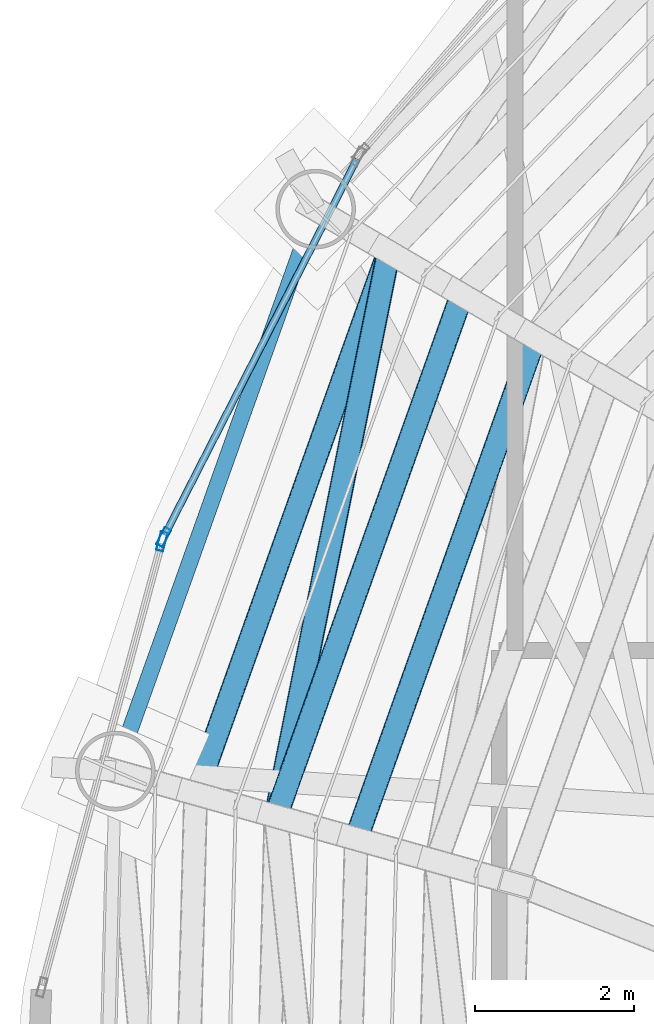
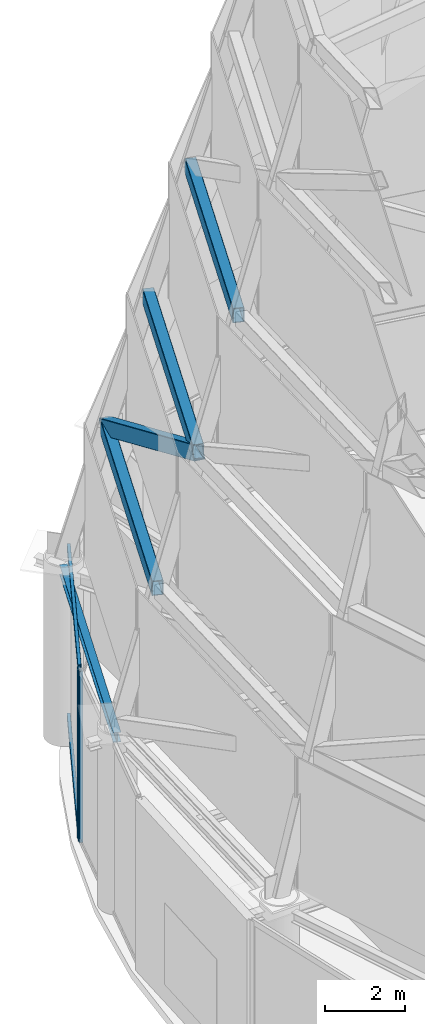
# One storey, part 24 of 40: 8 members, 1 beam, 2 elements without a shape of their own.
"""IFC4 building model written with IfcOpenShell, lengths in metres."""

import ifcopenshell
import ifcopenshell.guid

model = None  # the IFC model being written
_history = None  # IfcOwnerHistory: only IFC2X3 demands one
_inside = {}  # id of a spatial element -> (the spatial element, [elements in it])
_under = {}  # id of a project, library or spatial element -> (it, [spatial elements below it])
_declared = {}  # id of a project -> (the project, [libraries it declares])
_typed = {}  # id of a type object -> (the type object, [elements of that type])
_made_of = {}  # id of a material, layer set ... -> (it, [elements and type objects made of it])


def new_model(schema):
    """Start an empty IFC model of exactly this schema.

    Asked for "IFC4X3", IfcOpenShell would pick the latest addendum, in which some entities
    have other attributes; the version numbers below select the first issue.
    IFC2X3 requires an IfcOwnerHistory on every rooted entity: one is made here for all.
    """
    global model, _history
    if schema == "IFC4X3":
        model = ifcopenshell.file(schema_version=(4, 3, 0, 0))
    else:
        model = ifcopenshell.file(schema=schema)
    _inside.clear()
    _under.clear()
    _declared.clear()
    _typed.clear()
    _made_of.clear()
    _history = None
    if model.schema == "IFC2X3":
        org = make("IfcOrganization", Name="unknown")
        user = make(
            "IfcPersonAndOrganization",
            ThePerson=make("IfcPerson", FamilyName="unknown"),
            TheOrganization=org,
        )
        app = make(
            "IfcApplication",
            ApplicationDeveloper=org,
            Version="unknown",
            ApplicationFullName="unknown",
            ApplicationIdentifier="unknown",
        )
        _history = make(
            "IfcOwnerHistory",
            OwningUser=user,
            OwningApplication=app,
            ChangeAction="ADDED",
            CreationDate=0,
        )
    return model


def make(cls, **values):
    """One entity of the class cls with the attributes given. An attribute that is None is left unset."""
    return model.create_entity(
        cls, **{name: value for name, value in values.items() if value is not None}
    )


def rooted(cls, **values):
    """An entity with a GlobalId (a new one), such as an element, a storey or a relation."""
    return make(cls, GlobalId=ifcopenshell.guid.new(), OwnerHistory=_history, **values)


def si_unit(unit_type, name, prefix=None):
    """IfcSIUnit, for example si_unit("LENGTHUNIT", "METRE", prefix="MILLI")."""
    return make("IfcSIUnit", UnitType=unit_type, Prefix=prefix, Name=name)


def assignment(units):
    """IfcUnitAssignment: the units of a project."""
    return None if units is None else make("IfcUnitAssignment", Units=units)


def point(xyz):
    """IfcCartesianPoint."""
    return None if xyz is None else make("IfcCartesianPoint", Coordinates=xyz)


def direction(xyz):
    """IfcDirection."""
    return None if xyz is None else make("IfcDirection", DirectionRatios=xyz)


def frame(location, z_axis=None, x_axis=None):
    """IfcAxis2Placement3D, a coordinate frame: its origin and axes. An axis left out is left unset."""
    return make(
        "IfcAxis2Placement3D",
        Location=point(location),
        Axis=direction(z_axis),
        RefDirection=direction(x_axis),
    )


def frame_2d(location, x_axis=None):
    """IfcAxis2Placement2D, a coordinate frame in the plane: its origin and x axis."""
    return make(
        "IfcAxis2Placement2D", Location=point(location), RefDirection=direction(x_axis)
    )


def origin():
    """The frame at (0, 0, 0) with its axes left unset."""
    return frame((0.0, 0.0, 0.0))


def origin_2d():
    """The frame at (0, 0) in the plane with its x axis left unset."""
    return frame_2d((0.0, 0.0))


def place(relative_to, where):
    """IfcLocalPlacement: puts the frame where relative to a parent placement (None: the world)."""
    return make(
        "IfcLocalPlacement", PlacementRelTo=relative_to, RelativePlacement=where
    )


def context(
    kind, dimensions, precision=None, world=None, true_north=None, identifier=None
):
    """IfcGeometricRepresentationContext, for example the 3D "Model" context."""
    return make(
        "IfcGeometricRepresentationContext",
        ContextIdentifier=identifier,
        ContextType=kind,
        CoordinateSpaceDimension=dimensions,
        Precision=precision,
        WorldCoordinateSystem=world,
        TrueNorth=true_north,
    )


def subcontext(parent, identifier, kind, view, scale=None):
    """IfcGeometricRepresentationSubContext, for example "Body" below "Model"."""
    return make(
        "IfcGeometricRepresentationSubContext",
        ContextIdentifier=identifier,
        ContextType=kind,
        ParentContext=parent,
        TargetScale=scale,
        TargetView=view,
    )


def project(units=None, contexts=None):
    """IfcProject with its units and contexts."""
    return rooted(
        "IfcProject",
        Name="project",
        RepresentationContexts=contexts,
        UnitsInContext=assignment(units),
    )


def spatial(cls, under=None, at=None, **own):
    """A site, building, storey or space (cls), placed at a placement, below another one or the project."""
    s = rooted(cls, ObjectPlacement=at, **own)
    if under is not None:
        _under.setdefault(under.id(), (under, []))[1].append(s)
    return s


def profile(cls, at=None, kind="AREA", **sizes):
    """A parametric profile (cls). Its sizes go by their IFC names, for example OverallWidth=200.0."""
    return make(cls, ProfileType=kind, Position=at, **sizes)


def hollow_rectangle(**sizes):
    """IfcRectangleHollowProfileDef."""
    return profile("IfcRectangleHollowProfileDef", **sizes)


def i_section(**sizes):
    """IfcIShapeProfileDef."""
    return profile("IfcIShapeProfileDef", **sizes)


def extrude(swept, where, along, depth):
    """IfcExtrudedAreaSolid: the profile swept, set in the frame where, extruded along a direction by depth."""
    return make(
        "IfcExtrudedAreaSolid",
        SweptArea=swept,
        Position=where,
        ExtrudedDirection=direction(along),
        Depth=depth,
    )


def shape(context_of_items, identifier, shape_type, items):
    """IfcShapeRepresentation: the items that make up one representation, for example the "Body"."""
    return make(
        "IfcShapeRepresentation",
        ContextOfItems=context_of_items,
        RepresentationIdentifier=identifier,
        RepresentationType=shape_type,
        Items=items,
    )


def material(Name=None, Category=None):
    """IfcMaterial."""
    return make("IfcMaterial", Name=Name, Category=Category)


def layer(
    of_material, thickness, ventilated=None, Name=None, Category=None, Priority=None
):
    """IfcMaterialLayer: one layer of a wall or slab, of a material (None: an air gap)."""
    return make(
        "IfcMaterialLayer",
        Material=of_material,
        LayerThickness=thickness,
        IsVentilated=ventilated,
        Name=Name,
        Category=Category,
        Priority=Priority,
    )


def layer_set(layers, Name=None):
    """IfcMaterialLayerSet."""
    return make("IfcMaterialLayerSet", MaterialLayers=layers, LayerSetName=Name)


def material_profile(
    of_material, cross_section, Name=None, Category=None, Priority=None
):
    """IfcMaterialProfile: a cross section and its material."""
    return make(
        "IfcMaterialProfile",
        Name=Name,
        Material=of_material,
        Profile=cross_section,
        Priority=Priority,
        Category=Category,
    )


def profile_set(profiles, Name=None, composite=None):
    """IfcMaterialProfileSet."""
    return make(
        "IfcMaterialProfileSet",
        Name=Name,
        MaterialProfiles=profiles,
        CompositeProfile=composite,
    )


def made_of(thing, what):
    """Note that an element or type object is made of a material, layer set ...; save() writes the relation."""
    if what is not None:
        _made_of.setdefault(what.id(), (what, []))[1].append(thing)
    return thing


def type_object(cls, material=None, **own):
    """A type object (cls), such as IfcWallType, which elements share."""
    return made_of(rooted(cls, **own), material)


def element(
    cls,
    number,
    at=None,
    inside=None,
    cuts=None,
    type_object=None,
    material=None,
    context=None,
    identifier="Body",
    shape_type=None,
    held_by="IfcProductDefinitionShape",
    body=None,
    shapes=None,
    **own,
):
    """One element of the class cls, such as IfcWall. Its Tag is "e" and its number.

    at: its placement. inside: the storey or other place that contains it. cuts: it is an
    opening in that element (IfcRelVoidsElement). A single representation is given by context,
    identifier, shape_type and body (its items); several are given by shapes. held_by: the class
    of the entity that holds the representations. save() writes the other relations.
    """
    e = rooted(cls, Tag="e%d" % number, ObjectPlacement=at, **own)
    if body is not None:
        shapes = [shape(context, identifier, shape_type, body)]
    if shapes is not None:
        e.Representation = make(held_by, Representations=shapes)
    if inside is not None:
        _inside.setdefault(inside.id(), (inside, []))[1].append(e)
    if cuts is not None:
        rooted(
            "IfcRelVoidsElement", RelatingBuildingElement=cuts, RelatedOpeningElement=e
        )
    if type_object is not None:
        _typed.setdefault(type_object.id(), (type_object, []))[1].append(e)
    return made_of(e, material)


def aggregate(whole, parts):
    """IfcRelAggregates: a whole, such as a stair, and the parts it consists of."""
    return rooted("IfcRelAggregates", RelatingObject=whole, RelatedObjects=parts)


def save(model, path):
    """Write the relations noted so far, then the file.

    IfcRelAggregates (storeys below a building ...), IfcRelContainedInSpatialStructure (elements
    in a storey), IfcRelDefinesByType, IfcRelAssociatesMaterial and IfcRelDeclares: one each for
    every whole, place, type object, material and project.
    """
    for whole, parts in _under.values():
        aggregate(whole, parts)
    for where, things in _inside.values():
        rooted(
            "IfcRelContainedInSpatialStructure",
            RelatedElements=things,
            RelatingStructure=where,
        )
    for kind, things in _typed.values():
        rooted("IfcRelDefinesByType", RelatedObjects=things, RelatingType=kind)
    for what, things in _made_of.values():
        rooted("IfcRelAssociatesMaterial", RelatedObjects=things, RelatingMaterial=what)
    for by, libraries in _declared.values():
        rooted("IfcRelDeclares", RelatingContext=by, RelatedDefinitions=libraries)
    model.write(path)


model = new_model("IFC4")

# Units and contexts
model_context = context("Model", 3, precision=1e-05, world=origin(), true_north=direction((0.0, 1.0)))
body_context = subcontext(model_context, "Body", "Model", "MODEL_VIEW")
ifc_project = project(units=[si_unit("LENGTHUNIT", "METRE"), si_unit("AREAUNIT", "SQUARE_METRE"), si_unit("VOLUMEUNIT", "CUBIC_METRE"), si_unit("PLANEANGLEUNIT", "RADIAN"), si_unit("MASSUNIT", "GRAM", prefix="KILO")], contexts=[model_context])

# Site, building, storey
site_placement = place(None, origin())
site = spatial("IfcSite", under=ifc_project, at=site_placement, CompositionType="ELEMENT")
building_placement = place(site_placement, origin())
building = spatial("IfcBuilding", under=site, at=building_placement, Name="Bramvorn Convention Spire", CompositionType="ELEMENT")
storey_placement = place(building_placement, frame((0.0, 0.0, 312.5)))
storey = spatial("IfcBuildingStorey", under=building, at=storey_placement, Name="L79", CompositionType="ELEMENT", Elevation=312.5)

# Beam
ifc_material_1 = material(Name="Steel CSA G40.21 Grade 350 (350W)", Category="steel")
ifc_material_profile_1 = material_profile(ifc_material_1, i_section(OverallWidth=0.202880859375, OverallDepth=0.302978515625, WebThickness=0.007568359375, FlangeThickness=0.01318359375, FilletRadius=0.013916015625, at=origin_2d()))
ifc_profile_set_1 = profile_set([ifc_material_profile_1], Name="Steel CSA G40.21 Grade 350 (350W) - W310X60")
beam_type = type_object("IfcBeamType", Name="BM-W310X60", PredefinedType="JOIST", material=ifc_profile_set_1)
beam_placement = place(storey_placement, frame((22.49365234375, 40.94384765625, 5.098388671875), z_axis=(-0.335839090413, -0.941919373063, 0.0), x_axis=(0.941919373063, -0.335839090413, 0.0)))
element("IfcBeam", 1, at=beam_placement, inside=storey, type_object=beam_type, Name="L79 mega-column ring beam 10", PredefinedType="JOIST", context=body_context, shape_type="SweptSolid", body=[
    extrude(i_section(OverallWidth=0.202880859375, OverallDepth=0.302978515625, WebThickness=0.007568359375, FlangeThickness=0.01318359375, FilletRadius=0.013916015625, at=origin_2d()), origin(), (0.0, 0.0, 1.0), 7.49560546875),
])

# Curtain wall, member
ifc_material_2 = material(Name="Anodised Bronze Unitised Curtain Wall", Category="aluminium")
ifc_layer = layer(ifc_material_2, 0.199951171875)
ifc_layer_set = layer_set([ifc_layer], Name="Anodised Bronze Unitised Curtain Wall - CW-CROWN-SPIRE")
curtain_wall_type = type_object("IfcCurtainWallType", Name="CW-CROWN-SPIRE", PredefinedType="USERDEFINED", material=ifc_layer_set)
curtain_wall_1_placement = place(storey_placement, origin())
curtain_wall_1 = element("IfcCurtainWall", 2, at=curtain_wall_1_placement, inside=storey, type_object=curtain_wall_type, Name="L79 fritted glass curtain wall 15", ObjectType="UNITISED CURTAIN WALL", PredefinedType="USERDEFINED")
ifc_material_3 = material(Name="Anodised Bronze Aluminium 6063-T6", Category="aluminium")
ifc_material_profile_2 = material_profile(ifc_material_3, hollow_rectangle(XDim=0.090087890625, YDim=0.239990234375, WallThickness=0.00439453125, InnerFilletRadius=0.0009765625, OuterFilletRadius=0.00439453125, at=origin_2d()))
ifc_profile_set_2 = profile_set([ifc_material_profile_2], Name="Anodised Bronze Aluminium 6063-T6 - CWM90X240")
member_type_1 = type_object("IfcMemberType", Name="CW-MUL-220", PredefinedType="MULLION", material=ifc_profile_set_2)
member_1_placement = place(storey_placement, frame((20.584716796875, 36.8232421875, 0.0), z_axis=(0.0, 0.0, 1.0), x_axis=(-0.890509664931, 0.454964324607, 0.0)))
member_1 = element("IfcMember", 3, at=member_1_placement, type_object=member_type_1, Name="CW6 mullion 1", PredefinedType="MULLION", context=body_context, shape_type="SweptSolid", body=[
    extrude(hollow_rectangle(XDim=0.090087890625, YDim=0.239990234375, WallThickness=0.00439453125, InnerFilletRadius=0.0009765625, OuterFilletRadius=0.00439453125, at=origin_2d()), origin(), (0.0, 0.0, 1.0), 5.25),
])

curtain_wall_2_placement = place(storey_placement, origin())
curtain_wall_2 = element("IfcCurtainWall", 4, at=curtain_wall_2_placement, inside=storey, type_object=curtain_wall_type, Name="L79 fritted glass curtain wall 16", ObjectType="UNITISED CURTAIN WALL", PredefinedType="USERDEFINED")
member_2_placement = place(storey_placement, frame((20.563232421875, 36.767578125, 0.0), z_axis=(0.0, 0.0, 1.0), x_axis=(-0.965618064415, 0.259964908545, 0.0)))
member_2 = element("IfcMember", 5, at=member_2_placement, type_object=member_type_1, Name="CW6 mullion 2", PredefinedType="MULLION", context=body_context, shape_type="SweptSolid", body=[
    extrude(hollow_rectangle(XDim=0.090087890625, YDim=0.239990234375, WallThickness=0.00439453125, InnerFilletRadius=0.0009765625, OuterFilletRadius=0.00439453125, at=origin_2d()), origin(), (0.0, 0.0, 1.0), 5.25),
])
aggregate(curtain_wall_2, [member_2])

# Member
ifc_material_profile_3 = material_profile(ifc_material_3, hollow_rectangle(XDim=0.090087890625, YDim=0.179931640625, WallThickness=0.00439453125, InnerFilletRadius=0.0009765625, OuterFilletRadius=0.00439453125, at=origin_2d()))
ifc_profile_set_3 = profile_set([ifc_material_profile_3], Name="Anodised Bronze Aluminium 6063-T6 - CWT90X180")
member_type_2 = type_object("IfcMemberType", Name="CW-TRN-180", PredefinedType="USERDEFINED", material=ifc_profile_set_3)
member_3_placement = place(storey_placement, frame((20.598388671875, 36.849853515625, 0.030029296875), z_axis=(0.454961120268, 0.890511302031, 0.0), x_axis=(-0.890511302031, 0.454961120268, 0.0)))
member_3 = element("IfcMember", 6, at=member_3_placement, type_object=member_type_2, Name="CW6 transom 1.1", ObjectType="TRANSOM", PredefinedType="USERDEFINED", context=body_context, shape_type="SweptSolid", body=[
    extrude(hollow_rectangle(XDim=0.090087890625, YDim=0.179931640625, WallThickness=0.00439453125, InnerFilletRadius=0.0009765625, OuterFilletRadius=0.00439453125, at=origin_2d()), origin(), (0.0, 0.0, 1.0), 5.3076171875),
])

member_4_placement = place(storey_placement, frame((20.598388671875, 36.849853515625, 5.219970703125), z_axis=(0.454961120268, 0.890511302031, 0.0), x_axis=(-0.890511302031, 0.454961120268, 0.0)))
member_4 = element("IfcMember", 7, at=member_4_placement, type_object=member_type_2, Name="CW6 transom 1.2", ObjectType="TRANSOM", PredefinedType="USERDEFINED", context=body_context, shape_type="SweptSolid", body=[
    extrude(hollow_rectangle(XDim=0.090087890625, YDim=0.179931640625, WallThickness=0.00439453125, InnerFilletRadius=0.0009765625, OuterFilletRadius=0.00439453125, at=origin_2d()), origin(), (0.0, 0.0, 1.0), 5.3076171875),
])

aggregate(curtain_wall_1, [member_1, member_3, member_4])

# Members
ifc_material_profile_4 = material_profile(ifc_material_1, hollow_rectangle(XDim=0.300048828125, YDim=0.449951171875, WallThickness=0.02001953125, InnerFilletRadius=0.00390625, OuterFilletRadius=0.02392578125, at=origin_2d()))
ifc_profile_set_4 = profile_set([ifc_material_profile_4], Name="Steel CSA G40.21 Grade 350 (350W) - CROWN450X300X20")
member_type_3 = type_object("IfcMemberType", Name="MBR-CROWN450X300X20", PredefinedType="USERDEFINED", material=ifc_profile_set_4)
member_5_placement = place(storey_placement, frame((23.411865234375, 40.40576171875, 9.5), z_axis=(-0.335844067981, -0.941917598308, 0.0), x_axis=(0.941917598308, -0.335844067981, 0.0)))
element("IfcMember", 8, at=member_5_placement, inside=storey, type_object=member_type_3, Name="Crown spire CROWN FRAME ring beam T1-10", ObjectType="CROWN FRAME", PredefinedType="USERDEFINED", context=body_context, shape_type="SweptSolid", body=[
    extrude(hollow_rectangle(XDim=0.300048828125, YDim=0.449951171875, WallThickness=0.02001953125, InnerFilletRadius=0.00390625, OuterFilletRadius=0.02392578125, at=origin_2d()), origin(), (0.0, 0.0, 1.0), 7.225830078125),
])
member_6_placement = place(storey_placement, frame((24.330078125, 39.867919921875, 13.5), z_axis=(-0.335849431675, -0.941915685846, 0.0), x_axis=(0.941915685846, -0.335849431675, 0.0)))
element("IfcMember", 9, at=member_6_placement, inside=storey, type_object=member_type_3, Name="Crown spire CROWN FRAME ring beam T2-10", ObjectType="CROWN FRAME", PredefinedType="USERDEFINED", context=body_context, shape_type="SweptSolid", body=[
    extrude(hollow_rectangle(XDim=0.300048828125, YDim=0.449951171875, WallThickness=0.02001953125, InnerFilletRadius=0.00390625, OuterFilletRadius=0.02392578125, at=origin_2d()), origin(), (0.0, 0.0, 1.0), 6.9560546875),
])
member_7_placement = place(storey_placement, frame((23.411865234375, 40.40576171875, 9.5), z_axis=(-0.171605408634, -0.858027043169, 0.484087984686), x_axis=(0.980580675691, -0.196116135138, 0.0)))
element("IfcMember", 10, at=member_7_placement, inside=storey, type_object=member_type_3, Name="Crown spire CROWN FRAME wind brace T2-10", ObjectType="CROWN FRAME", PredefinedType="USERDEFINED", context=body_context, shape_type="SweptSolid", body=[
    extrude(hollow_rectangle(XDim=0.300048828125, YDim=0.449951171875, WallThickness=0.02001953125, InnerFilletRadius=0.00390625, OuterFilletRadius=0.02392578125, at=origin_2d()), origin(), (0.0, 0.0, 1.0), 8.262939453125),
])
member_8_placement = place(storey_placement, frame((25.248291015625, 39.329833984375, 17.5), z_axis=(-0.335822832427, -0.94192516965, 0.0), x_axis=(0.94192516965, -0.335822832427, 0.0)))
element("IfcMember", 11, at=member_8_placement, inside=storey, type_object=member_type_3, Name="Crown spire CROWN FRAME ring beam T3-10", ObjectType="CROWN FRAME", PredefinedType="USERDEFINED", context=body_context, shape_type="SweptSolid", body=[
    extrude(hollow_rectangle(XDim=0.300048828125, YDim=0.449951171875, WallThickness=0.02001953125, InnerFilletRadius=0.00390625, OuterFilletRadius=0.02392578125, at=origin_2d()), origin(), (0.0, 0.0, 1.0), 6.68603515625),
])

save(model, "model.ifc")
